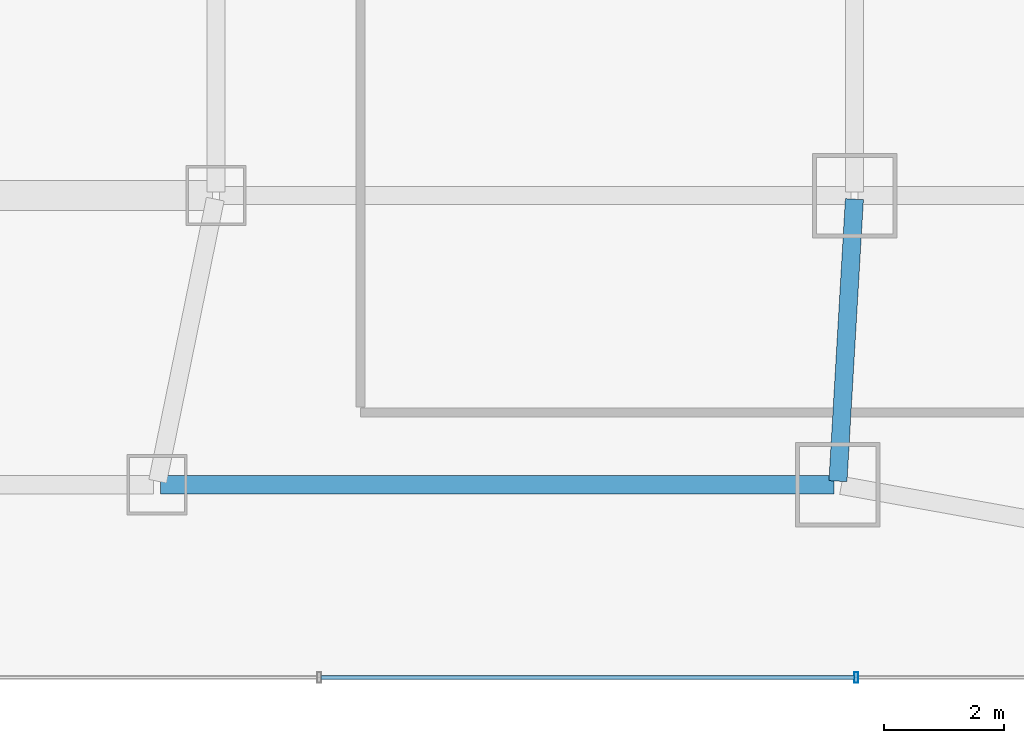
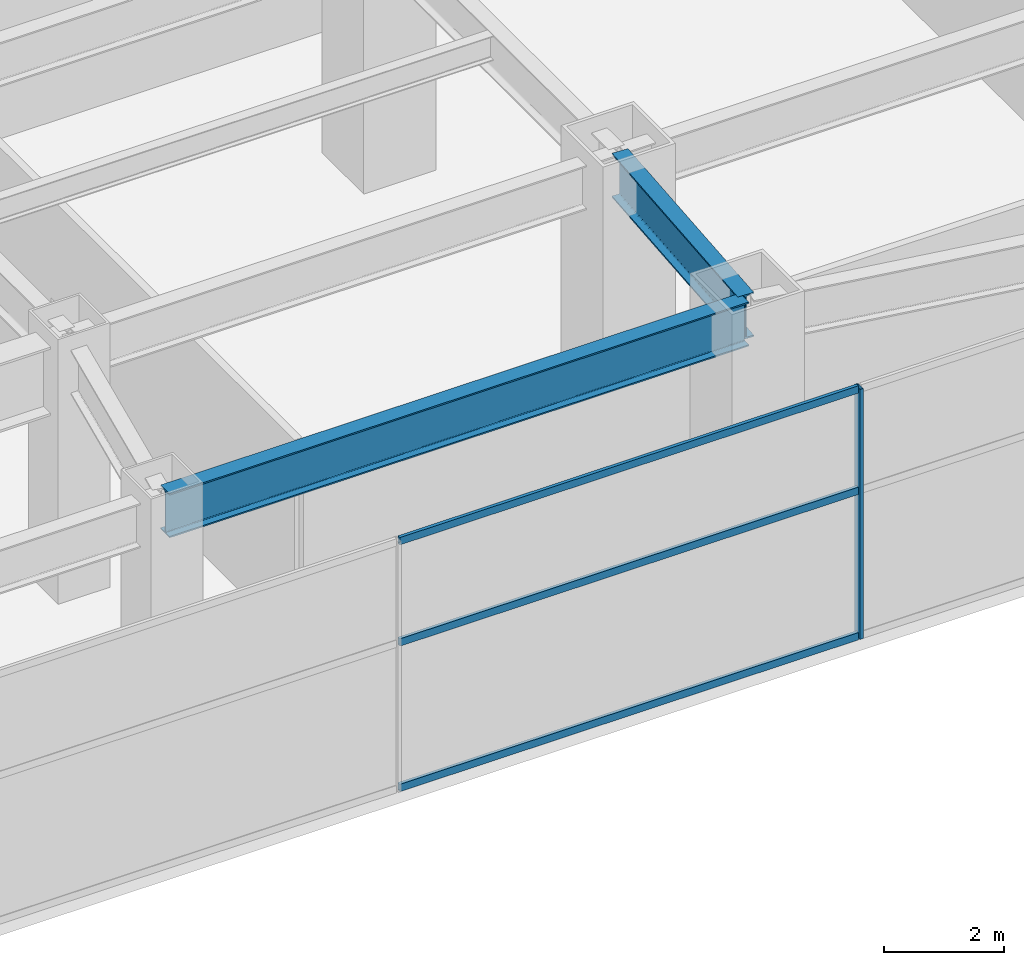
# One storey, part 15 of 51: 4 members, 2 beams, 1 element without a shape of its own.
"""IFC4 building model written with IfcOpenShell, lengths in metres."""

import ifcopenshell
import ifcopenshell.guid

model = None  # the IFC model being written
_history = None  # IfcOwnerHistory: only IFC2X3 demands one
_inside = {}  # id of a spatial element -> (the spatial element, [elements in it])
_under = {}  # id of a project, library or spatial element -> (it, [spatial elements below it])
_declared = {}  # id of a project -> (the project, [libraries it declares])
_typed = {}  # id of a type object -> (the type object, [elements of that type])
_made_of = {}  # id of a material, layer set ... -> (it, [elements and type objects made of it])


def new_model(schema):
    """Start an empty IFC model of exactly this schema.

    Asked for "IFC4X3", IfcOpenShell would pick the latest addendum, in which some entities
    have other attributes; the version numbers below select the first issue.
    IFC2X3 requires an IfcOwnerHistory on every rooted entity: one is made here for all.
    """
    global model, _history
    if schema == "IFC4X3":
        model = ifcopenshell.file(schema_version=(4, 3, 0, 0))
    else:
        model = ifcopenshell.file(schema=schema)
    _inside.clear()
    _under.clear()
    _declared.clear()
    _typed.clear()
    _made_of.clear()
    _history = None
    if model.schema == "IFC2X3":
        org = make("IfcOrganization", Name="unknown")
        user = make(
            "IfcPersonAndOrganization",
            ThePerson=make("IfcPerson", FamilyName="unknown"),
            TheOrganization=org,
        )
        app = make(
            "IfcApplication",
            ApplicationDeveloper=org,
            Version="unknown",
            ApplicationFullName="unknown",
            ApplicationIdentifier="unknown",
        )
        _history = make(
            "IfcOwnerHistory",
            OwningUser=user,
            OwningApplication=app,
            ChangeAction="ADDED",
            CreationDate=0,
        )
    return model


def make(cls, **values):
    """One entity of the class cls with the attributes given. An attribute that is None is left unset."""
    return model.create_entity(
        cls, **{name: value for name, value in values.items() if value is not None}
    )


def rooted(cls, **values):
    """An entity with a GlobalId (a new one), such as an element, a storey or a relation."""
    return make(cls, GlobalId=ifcopenshell.guid.new(), OwnerHistory=_history, **values)


def si_unit(unit_type, name, prefix=None):
    """IfcSIUnit, for example si_unit("LENGTHUNIT", "METRE", prefix="MILLI")."""
    return make("IfcSIUnit", UnitType=unit_type, Prefix=prefix, Name=name)


def assignment(units):
    """IfcUnitAssignment: the units of a project."""
    return None if units is None else make("IfcUnitAssignment", Units=units)


def point(xyz):
    """IfcCartesianPoint."""
    return None if xyz is None else make("IfcCartesianPoint", Coordinates=xyz)


def direction(xyz):
    """IfcDirection."""
    return None if xyz is None else make("IfcDirection", DirectionRatios=xyz)


def frame(location, z_axis=None, x_axis=None):
    """IfcAxis2Placement3D, a coordinate frame: its origin and axes. An axis left out is left unset."""
    return make(
        "IfcAxis2Placement3D",
        Location=point(location),
        Axis=direction(z_axis),
        RefDirection=direction(x_axis),
    )


def frame_2d(location, x_axis=None):
    """IfcAxis2Placement2D, a coordinate frame in the plane: its origin and x axis."""
    return make(
        "IfcAxis2Placement2D", Location=point(location), RefDirection=direction(x_axis)
    )


def origin():
    """The frame at (0, 0, 0) with its axes left unset."""
    return frame((0.0, 0.0, 0.0))


def origin_2d():
    """The frame at (0, 0) in the plane with its x axis left unset."""
    return frame_2d((0.0, 0.0))


def place(relative_to, where):
    """IfcLocalPlacement: puts the frame where relative to a parent placement (None: the world)."""
    return make(
        "IfcLocalPlacement", PlacementRelTo=relative_to, RelativePlacement=where
    )


def context(
    kind, dimensions, precision=None, world=None, true_north=None, identifier=None
):
    """IfcGeometricRepresentationContext, for example the 3D "Model" context."""
    return make(
        "IfcGeometricRepresentationContext",
        ContextIdentifier=identifier,
        ContextType=kind,
        CoordinateSpaceDimension=dimensions,
        Precision=precision,
        WorldCoordinateSystem=world,
        TrueNorth=true_north,
    )


def subcontext(parent, identifier, kind, view, scale=None):
    """IfcGeometricRepresentationSubContext, for example "Body" below "Model"."""
    return make(
        "IfcGeometricRepresentationSubContext",
        ContextIdentifier=identifier,
        ContextType=kind,
        ParentContext=parent,
        TargetScale=scale,
        TargetView=view,
    )


def project(units=None, contexts=None):
    """IfcProject with its units and contexts."""
    return rooted(
        "IfcProject",
        Name="project",
        RepresentationContexts=contexts,
        UnitsInContext=assignment(units),
    )


def spatial(cls, under=None, at=None, **own):
    """A site, building, storey or space (cls), placed at a placement, below another one or the project."""
    s = rooted(cls, ObjectPlacement=at, **own)
    if under is not None:
        _under.setdefault(under.id(), (under, []))[1].append(s)
    return s


def profile(cls, at=None, kind="AREA", **sizes):
    """A parametric profile (cls). Its sizes go by their IFC names, for example OverallWidth=200.0."""
    return make(cls, ProfileType=kind, Position=at, **sizes)


def hollow_rectangle(**sizes):
    """IfcRectangleHollowProfileDef."""
    return profile("IfcRectangleHollowProfileDef", **sizes)


def i_section(**sizes):
    """IfcIShapeProfileDef."""
    return profile("IfcIShapeProfileDef", **sizes)


def extrude(swept, where, along, depth):
    """IfcExtrudedAreaSolid: the profile swept, set in the frame where, extruded along a direction by depth."""
    return make(
        "IfcExtrudedAreaSolid",
        SweptArea=swept,
        Position=where,
        ExtrudedDirection=direction(along),
        Depth=depth,
    )


def shape(context_of_items, identifier, shape_type, items):
    """IfcShapeRepresentation: the items that make up one representation, for example the "Body"."""
    return make(
        "IfcShapeRepresentation",
        ContextOfItems=context_of_items,
        RepresentationIdentifier=identifier,
        RepresentationType=shape_type,
        Items=items,
    )


def material(Name=None, Category=None):
    """IfcMaterial."""
    return make("IfcMaterial", Name=Name, Category=Category)


def material_profile(
    of_material, cross_section, Name=None, Category=None, Priority=None
):
    """IfcMaterialProfile: a cross section and its material."""
    return make(
        "IfcMaterialProfile",
        Name=Name,
        Material=of_material,
        Profile=cross_section,
        Priority=Priority,
        Category=Category,
    )


def profile_set(profiles, Name=None, composite=None):
    """IfcMaterialProfileSet."""
    return make(
        "IfcMaterialProfileSet",
        Name=Name,
        MaterialProfiles=profiles,
        CompositeProfile=composite,
    )


def made_of(thing, what):
    """Note that an element or type object is made of a material, layer set ...; save() writes the relation."""
    if what is not None:
        _made_of.setdefault(what.id(), (what, []))[1].append(thing)
    return thing


def type_object(cls, material=None, **own):
    """A type object (cls), such as IfcWallType, which elements share."""
    return made_of(rooted(cls, **own), material)


def element(
    cls,
    number,
    at=None,
    inside=None,
    cuts=None,
    type_object=None,
    material=None,
    context=None,
    identifier="Body",
    shape_type=None,
    held_by="IfcProductDefinitionShape",
    body=None,
    shapes=None,
    **own,
):
    """One element of the class cls, such as IfcWall. Its Tag is "e" and its number.

    at: its placement. inside: the storey or other place that contains it. cuts: it is an
    opening in that element (IfcRelVoidsElement). A single representation is given by context,
    identifier, shape_type and body (its items); several are given by shapes. held_by: the class
    of the entity that holds the representations. save() writes the other relations.
    """
    e = rooted(cls, Tag="e%d" % number, ObjectPlacement=at, **own)
    if body is not None:
        shapes = [shape(context, identifier, shape_type, body)]
    if shapes is not None:
        e.Representation = make(held_by, Representations=shapes)
    if inside is not None:
        _inside.setdefault(inside.id(), (inside, []))[1].append(e)
    if cuts is not None:
        rooted(
            "IfcRelVoidsElement", RelatingBuildingElement=cuts, RelatedOpeningElement=e
        )
    if type_object is not None:
        _typed.setdefault(type_object.id(), (type_object, []))[1].append(e)
    return made_of(e, material)


def aggregate(whole, parts):
    """IfcRelAggregates: a whole, such as a stair, and the parts it consists of."""
    return rooted("IfcRelAggregates", RelatingObject=whole, RelatedObjects=parts)


def save(model, path):
    """Write the relations noted so far, then the file.

    IfcRelAggregates (storeys below a building ...), IfcRelContainedInSpatialStructure (elements
    in a storey), IfcRelDefinesByType, IfcRelAssociatesMaterial and IfcRelDeclares: one each for
    every whole, place, type object, material and project.
    """
    for whole, parts in _under.values():
        aggregate(whole, parts)
    for where, things in _inside.values():
        rooted(
            "IfcRelContainedInSpatialStructure",
            RelatedElements=things,
            RelatingStructure=where,
        )
    for kind, things in _typed.values():
        rooted("IfcRelDefinesByType", RelatedObjects=things, RelatingType=kind)
    for what, things in _made_of.values():
        rooted("IfcRelAssociatesMaterial", RelatedObjects=things, RelatingMaterial=what)
    for by, libraries in _declared.values():
        rooted("IfcRelDeclares", RelatingContext=by, RelatedDefinitions=libraries)
    model.write(path)


model = new_model("IFC4")

# Units and contexts
model_context = context("Model", 3, precision=1e-05, world=origin(), true_north=direction((0.0, 1.0)))
body_context = subcontext(model_context, "Body", "Model", "MODEL_VIEW")
ifc_project = project(units=[si_unit("LENGTHUNIT", "METRE"), si_unit("AREAUNIT", "SQUARE_METRE"), si_unit("VOLUMEUNIT", "CUBIC_METRE"), si_unit("PLANEANGLEUNIT", "RADIAN"), si_unit("MASSUNIT", "GRAM", prefix="KILO")], contexts=[model_context])

# Site, building, storey
site_placement = place(None, origin())
site = spatial("IfcSite", under=ifc_project, at=site_placement, CompositionType="ELEMENT")
building_placement = place(site_placement, origin())
building = spatial("IfcBuilding", under=site, at=building_placement, Name="Saevonmaru Cultural Tower", CompositionType="ELEMENT")
storey_placement = place(building_placement, frame((0.0, 0.0, 6.0)))
storey = spatial("IfcBuildingStorey", under=building, at=storey_placement, Name="L01", CompositionType="ELEMENT", Elevation=6.0)

# Beams
ifc_material_1 = material(Name="Steel SM420", Category="steel")
ifc_material_profile_1 = material_profile(ifc_material_1, i_section(OverallWidth=0.300048828125, OverallDepth=0.89990234375, WebThickness=0.01611328125, FlangeThickness=0.028076171875, FilletRadius=0.028076171875, at=origin_2d()), Name="H-900x300x16x28")
ifc_profile_set_1 = profile_set([ifc_material_profile_1], Name="Steel SM420")
beam_type = type_object("IfcBeamType", Name="BM-G-H900", PredefinedType="BEAM", material=ifc_profile_set_1)
beam_1_placement = place(storey_placement, frame((47.5234375, 3.260009765625, 4.64990234375), z_axis=(0.058221363278, 0.998303697708, 0.0), x_axis=(-0.998303697708, 0.058221363278, 0.0)))
element("IfcBeam", 1, at=beam_1_placement, inside=storey, type_object=beam_type, Name="L01 Podium Girder NS4-1", PredefinedType="BEAM", context=body_context, shape_type="SweptSolid", body=[
    extrude(i_section(OverallWidth=0.300048828125, OverallDepth=0.89990234375, WebThickness=0.01611328125, FlangeThickness=0.028076171875, FilletRadius=0.028076171875, at=origin_2d()), origin(), (0.0, 0.0, 1.0), 4.688232421875),
])
beam_2_placement = place(storey_placement, frame((36.280029296875, 3.199951171875, 4.64990234375), z_axis=(1.0, 0.0, 0.0), x_axis=(0.0, 1.0, 0.0)))
element("IfcBeam", 2, at=beam_2_placement, inside=storey, type_object=beam_type, Name="BM-POD-EW-E-0-L01", PredefinedType="BEAM", context=body_context, shape_type="SweptSolid", body=[
    extrude(i_section(OverallWidth=0.300048828125, OverallDepth=0.89990234375, WebThickness=0.01611328125, FlangeThickness=0.028076171875, FilletRadius=0.028076171875, at=origin_2d()), origin(), (0.0, 0.0, 1.0), 11.179931640625),
])

# Curtain wall, members
ifc_material_2 = material(Name="Satin Bronze Anodised Aluminium", Category="aluminium")
curtain_wall_type = type_object("IfcCurtainWallType", Name="CW-POD-GLZ", PredefinedType="NOTDEFINED", material=ifc_material_2)
curtain_wall_placement = place(storey_placement, origin())
curtain_wall = element("IfcCurtainWall", 3, at=curtain_wall_placement, inside=storey, type_object=curtain_wall_type, Name="L01 South Grand Foyer Curtain Wall", PredefinedType="NOTDEFINED")
ifc_material_profile_2 = material_profile(ifc_material_2, hollow_rectangle(XDim=0.06494140625, YDim=0.179931640625, WallThickness=0.00390625, at=origin_2d()), Name="ALU-MULL-180x65x4")
ifc_profile_set_2 = profile_set([ifc_material_profile_2], Name="Satin Bronze Anodised Aluminium")
member_type_1 = type_object("IfcMemberType", Name="ML-CW-180x65", PredefinedType="MULLION", material=ifc_profile_set_2)
member_1_placement = place(storey_placement, frame((47.82666015625, 0.0, 0.0), z_axis=(0.0, 0.0, 1.0), x_axis=(1.0, 0.0, 0.0)))
member_1 = element("IfcMember", 4, at=member_1_placement, type_object=member_type_1, Name="CW-POD-S-L01 mullion 6", PredefinedType="MULLION", context=body_context, shape_type="SweptSolid", body=[
    extrude(hollow_rectangle(XDim=0.06494140625, YDim=0.179931640625, WallThickness=0.00390625, at=origin_2d()), origin(), (0.0, 0.0, 1.0), 5.10009765625),
])
ifc_material_profile_3 = material_profile(ifc_material_2, hollow_rectangle(XDim=0.06494140625, YDim=0.14990234375, WallThickness=0.00390625, at=origin_2d()), Name="ALU-TRAN-150x65x4")
ifc_profile_set_3 = profile_set([ifc_material_profile_3], Name="Satin Bronze Anodised Aluminium")
member_type_2 = type_object("IfcMemberType", Name="TR-CW-150x65", PredefinedType="USERDEFINED", material=ifc_profile_set_3)
member_2_placement = place(storey_placement, frame((38.94580078125, 0.0, 0.032470703125), z_axis=(1.0, 0.0, 0.0), x_axis=(0.0, 1.0, 0.0)))
member_2 = element("IfcMember", 5, at=member_2_placement, type_object=member_type_2, Name="CW-POD-S-L01 transom 5.1", ObjectType="TRANSOM", PredefinedType="USERDEFINED", context=body_context, shape_type="SweptSolid", body=[
    extrude(hollow_rectangle(XDim=0.06494140625, YDim=0.14990234375, WallThickness=0.00390625, at=origin_2d()), origin(), (0.0, 0.0, 1.0), 8.848388671875),
])
member_3_placement = place(storey_placement, frame((38.94580078125, 0.0, 3.0), z_axis=(1.0, 0.0, 0.0), x_axis=(0.0, 1.0, 0.0)))
member_3 = element("IfcMember", 6, at=member_3_placement, type_object=member_type_2, Name="CW-POD-S-L01 transom 5.2", ObjectType="TRANSOM", PredefinedType="USERDEFINED", context=body_context, shape_type="SweptSolid", body=[
    extrude(hollow_rectangle(XDim=0.06494140625, YDim=0.14990234375, WallThickness=0.00390625, at=origin_2d()), origin(), (0.0, 0.0, 1.0), 8.848388671875),
])
member_4_placement = place(storey_placement, frame((38.94580078125, 0.0, 5.0673828125), z_axis=(1.0, 0.0, 0.0), x_axis=(0.0, 1.0, 0.0)))
member_4 = element("IfcMember", 7, at=member_4_placement, type_object=member_type_2, Name="CW-POD-S-L01 transom 5.3", ObjectType="TRANSOM", PredefinedType="USERDEFINED", context=body_context, shape_type="SweptSolid", body=[
    extrude(hollow_rectangle(XDim=0.06494140625, YDim=0.14990234375, WallThickness=0.00390625, at=origin_2d()), origin(), (0.0, 0.0, 1.0), 8.848388671875),
])
aggregate(curtain_wall, [member_1, member_2, member_3, member_4])

save(model, "model.ifc")
